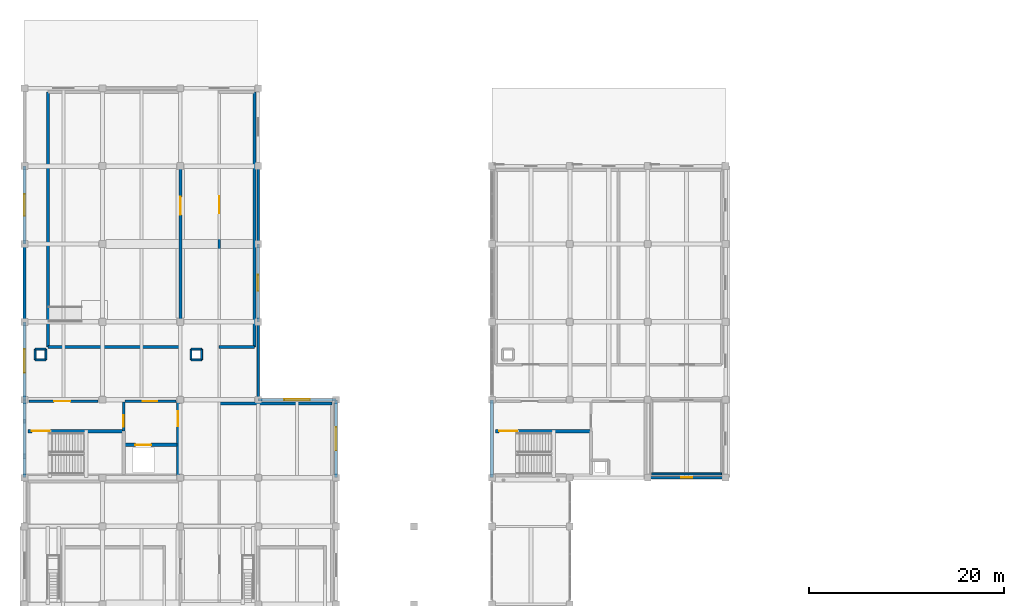
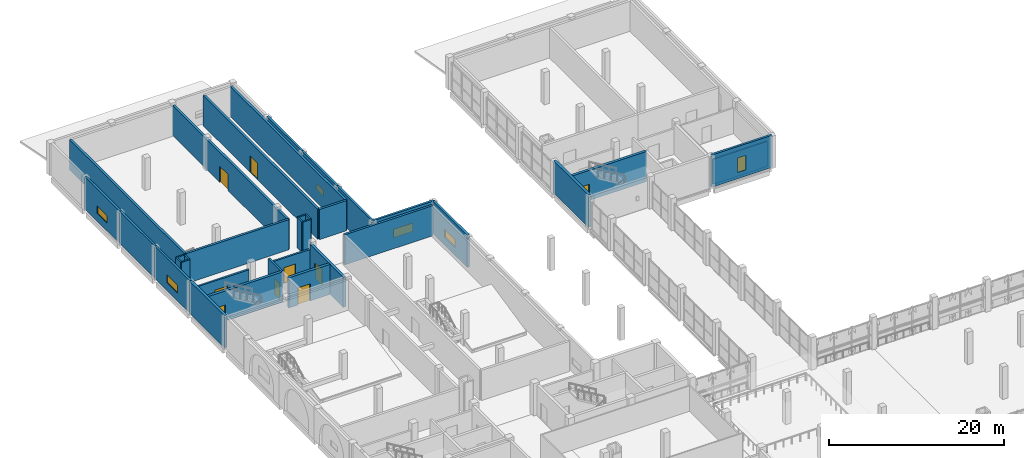
# One storey, part 30 of 45: 34 walls, 9 doors, 6 windows, 15 openings.
"""IFC4 building model written with IfcOpenShell, lengths in metres."""

from ifc_helpers import new_model, si_unit, direction, frame, frame_2d, origin, place, context, subcontext, project, spatial, rectangle, extrude, material, layer, layer_set, type_object, element, fill, save


model = new_model("IFC4")

# Units and contexts
model_context = context("Model", 3, precision=1e-05, world=origin(), true_north=direction((0.0, 1.0)))
body_context = subcontext(model_context, "Body", "Model", "MODEL_VIEW")
ifc_project = project(units=[si_unit("LENGTHUNIT", "METRE"), si_unit("AREAUNIT", "SQUARE_METRE"), si_unit("VOLUMEUNIT", "CUBIC_METRE"), si_unit("PLANEANGLEUNIT", "RADIAN"), si_unit("MASSUNIT", "GRAM", prefix="KILO")], contexts=[model_context])

# Site, building, storey
site_placement = place(None, origin())
site = spatial("IfcSite", under=ifc_project, at=site_placement, CompositionType="ELEMENT")
building_placement = place(site_placement, origin())
building = spatial("IfcBuilding", under=site, at=building_placement, Name="Qorikala Patio Media Centre", CompositionType="ELEMENT")
storey_placement = place(building_placement, frame((0.0, 0.0, 9.89990234375)))
storey = spatial("IfcBuildingStorey", under=building, at=storey_placement, Name="L02", CompositionType="ELEMENT", Elevation=9.89990234375)

# Walls
ifc_material_1 = material(Name="Concrete C35/45", Category="concrete")
ifc_layer_1 = layer(ifc_material_1, 0.300048828125)
ifc_layer_set_1 = layer_set([ifc_layer_1], Name="Concrete C35/45")
wall_type_1 = type_object("IfcWallType", Name="WL-AC-300", PredefinedType="SHEAR", material=ifc_layer_set_1)
wall_1_placement = place(storey_placement, frame((23.0, 71.60009765625, 0.0), z_axis=(0.0, 0.0, 1.0), x_axis=(1.0, 0.0, 0.0)))
element("IfcWall", 1, at=wall_1_placement, inside=storey, type_object=wall_type_1, Name="L02 Interior Wall WINT-L02-SCR4-N", PredefinedType="SHEAR", context=body_context, shape_type="SweptSolid", body=[
    extrude(rectangle(XDim=11.60009765625, YDim=0.300048828125, at=frame_2d((5.800048828125, 0.0))), origin(), (0.0, 0.0, 1.0), 4.2001953125),
])
wall_2_placement = place(storey_placement, frame((5.39990234375, 77.39990234375, 0.0), z_axis=(0.0, 0.0, 1.0), x_axis=(1.0, 0.0, 0.0)))
element("IfcWall", 2, at=wall_2_placement, inside=storey, type_object=wall_type_1, Name="L02 Interior Wall WINT-L02-BST2-S", PredefinedType="SHEAR", context=body_context, shape_type="SweptSolid", body=[
    extrude(rectangle(XDim=13.60009765625, YDim=0.300048828125, at=frame_2d((6.800048828125, 0.0))), origin(), (0.0, 0.0, 1.0), 4.2001953125),
])

# Wall, opening, door
wall_3_placement = place(storey_placement, frame((19.0, 77.39990234375, 0.0), z_axis=(0.0, 0.0, 1.0), x_axis=(0.0, 1.0, 0.0)))
wall_3 = element("IfcWall", 3, at=wall_3_placement, inside=storey, type_object=wall_type_1, Name="L02 Interior Wall WINT-L02-BST2-E", PredefinedType="SHEAR", context=body_context, shape_type="SweptSolid", body=[
    extrude(rectangle(XDim=26.2001953125, YDim=0.300048828125, at=frame_2d((13.10009765625, 0.0))), origin(), (0.0, 0.0, 1.0), 4.2001953125),
])
opening_1_placement = place(wall_3_placement, frame((13.577880859375, 0.0, 0.0)))
opening_1 = element("IfcOpeningElement", 4, at=opening_1_placement, cuts=wall_3, Name="Opening D279", PredefinedType="OPENING", context=body_context, shape_type="SweptSolid", body=[
    extrude(rectangle(XDim=1.85009765625, YDim=2.25, at=frame_2d((0.925048828125, 1.125))), frame((0.0, 0.159912109375, 0.0), z_axis=(0.0, -1.0, 0.0), x_axis=(1.0, 0.0, 0.0)), (0.0, 0.0, 1.0), 0.320068359375),
])
ifc_material_2 = material(Name="Powder-Coated Acoustic Fire Steel", Category="steel")
door_type_1 = type_object("IfcDoorType", Name="DR-FD60-185X225", OperationType="DOUBLE_DOOR_SINGLE_SWING", PredefinedType="DOOR", material=ifc_material_2)
door_1_placement = place(opening_1_placement, origin())
door_1 = element("IfcDoor", 5, at=door_1_placement, inside=storey, type_object=door_type_1, Name="Live Broadcast Studio 2 Door 068", OperationType="DOUBLE_DOOR_SINGLE_SWING", OverallHeight=2.25, OverallWidth=1.85009765625, PredefinedType="DOOR", context=body_context, shape_type="SweptSolid", body=[
    extrude(rectangle(XDim=1.85009765625, YDim=2.25, at=frame_2d((0.925048828125, 1.125))), frame((0.0, 0.02490234375, 0.0), z_axis=(0.0, -1.0, 0.0), x_axis=(1.0, 0.0, 0.0)), (0.0, 0.0, 1.0), 0.050048828125),
])
fill(opening_1, door_1)

# Walls
wall_4_placement = place(storey_placement, frame((5.39990234375, 77.39990234375, 0.0), z_axis=(0.0, 0.0, 1.0), x_axis=(0.0, 1.0, 0.0)))
element("IfcWall", 6, at=wall_4_placement, inside=storey, type_object=wall_type_1, Name="L02 Interior Wall WINT-L02-BST2-W", PredefinedType="SHEAR", context=body_context, shape_type="SweptSolid", body=[
    extrude(rectangle(XDim=26.2001953125, YDim=0.300048828125, at=frame_2d((13.10009765625, 0.0))), origin(), (0.0, 0.0, 1.0), 4.2001953125),
])
wall_5_placement = place(storey_placement, frame((23.0, 77.39990234375, 0.0), z_axis=(0.0, 0.0, 1.0), x_axis=(1.0, 0.0, 0.0)))
element("IfcWall", 7, at=wall_5_placement, inside=storey, type_object=wall_type_1, Name="L02 Interior Wall WINT-L02-MCR2-S", PredefinedType="SHEAR", context=body_context, shape_type="SweptSolid", body=[
    extrude(rectangle(XDim=3.60009765625, YDim=0.300048828125, at=frame_2d((1.800048828125, 0.0))), origin(), (0.0, 0.0, 1.0), 4.2001953125),
])
wall_6_placement = place(storey_placement, frame((26.60009765625, 77.39990234375, 0.0), z_axis=(0.0, 0.0, 1.0), x_axis=(0.0, 1.0, 0.0)))
element("IfcWall", 8, at=wall_6_placement, inside=storey, type_object=wall_type_1, Name="L02 Interior Wall WINT-L02-MCR2-E", PredefinedType="SHEAR", context=body_context, shape_type="SweptSolid", body=[
    extrude(rectangle(XDim=26.2001953125, YDim=0.300048828125, at=frame_2d((13.10009765625, 0.0))), origin(), (0.0, 0.0, 1.0), 4.2001953125),
])

# Wall, opening, door
wall_7_placement = place(storey_placement, frame((23.0, 77.39990234375, 0.0), z_axis=(0.0, 0.0, 1.0), x_axis=(0.0, 1.0, 0.0)))
wall_7 = element("IfcWall", 9, at=wall_7_placement, inside=storey, type_object=wall_type_1, Name="L02 Interior Wall WINT-L02-MCR2-W", PredefinedType="SHEAR", context=body_context, shape_type="SweptSolid", body=[
    extrude(rectangle(XDim=26.2001953125, YDim=0.300048828125, at=frame_2d((13.10009765625, 0.0))), origin(), (0.0, 0.0, 1.0), 4.2001953125),
])
opening_2_placement = place(wall_7_placement, frame((13.735107421875, 0.0, 0.0)))
opening_2 = element("IfcOpeningElement", 10, at=opening_2_placement, cuts=wall_7, Name="Opening D280", PredefinedType="OPENING", context=body_context, shape_type="SweptSolid", body=[
    extrude(rectangle(XDim=1.75, YDim=2.280029296875, at=frame_2d((0.875, 1.14013671875))), frame((0.0, 0.159912109375, 0.0), z_axis=(0.0, -1.0, 0.0), x_axis=(1.0, 0.0, 0.0)), (0.0, 0.0, 1.0), 0.320068359375),
])
door_type_2 = type_object("IfcDoorType", Name="DR-FD60-175X228", OperationType="DOUBLE_DOOR_SINGLE_SWING", PredefinedType="DOOR", material=ifc_material_2)
door_2_placement = place(opening_2_placement, origin())
door_2 = element("IfcDoor", 11, at=door_2_placement, inside=storey, type_object=door_type_2, Name="Broadcast Studio 2 Production Control Room Door 069", OperationType="DOUBLE_DOOR_SINGLE_SWING", OverallHeight=2.280029296875, OverallWidth=1.75, PredefinedType="DOOR", context=body_context, shape_type="SweptSolid", body=[
    extrude(rectangle(XDim=1.75, YDim=2.280029296875, at=frame_2d((0.875, 1.14013671875))), frame((0.0, 0.02490234375, 0.0), z_axis=(0.0, -1.0, 0.0), x_axis=(1.0, 0.0, 0.0)), (0.0, 0.0, 1.0), 0.050048828125),
])
fill(opening_2, door_2)

# Walls
ifc_layer_2 = layer(ifc_material_1, 0.35009765625)
ifc_layer_set_2 = layer_set([ifc_layer_2], Name="Concrete C35/45")
wall_type_2 = type_object("IfcWallType", Name="WL-CORE-350", PredefinedType="SHEAR", material=ifc_layer_set_2)
for number, where, z_axis, x_axis, name in (
    (12, (3.0, 64.0, 0.0), (0.0, 0.0, 1.0), (0.0, 1.0, 0.0), "L02 Core C3 Exterior Shear Wall"),
    (13, (51.0, 64.0, 0.0), (0.0, 0.0, 1.0), (0.0, 1.0, 0.0), "L02 Core C6 Exterior Shear Wall"),
):
    element("IfcWall", number, at=place(storey_placement, frame(where, z_axis=z_axis, x_axis=x_axis)), inside=storey, type_object=wall_type_2, Name=name, PredefinedType="SHEAR", context=body_context, shape_type="SweptSolid", body=[
        extrude(rectangle(XDim=8.0, YDim=0.35009765625, at=frame_2d((4.0, 0.0))), origin(), (0.0, 0.0, 1.0), 4.5),
    ])

# Wall, opening, door
wall_8_placement = place(storey_placement, frame((18.77490234375, 64.199951171875, 0.0), z_axis=(0.0, 0.0, 1.0), x_axis=(0.0, 1.0, 0.0)))
wall_8 = element("IfcWall", 14, at=wall_8_placement, inside=storey, type_object=wall_type_2, Name="L02 Interior Wall CW-L02-C3-EE", PredefinedType="SHEAR", context=body_context, shape_type="SweptSolid", body=[
    extrude(rectangle(XDim=7.60009765625, YDim=0.35009765625, at=frame_2d((3.800048828125, 0.0))), origin(), (0.0, 0.0, 1.0), 4.2001953125),
])
opening_3_placement = place(wall_8_placement, frame((5.10009765625, 0.0, 0.0)))
opening_3 = element("IfcOpeningElement", 15, at=opening_3_placement, cuts=wall_8, Name="Opening D110", PredefinedType="OPENING", context=body_context, shape_type="SweptSolid", body=[
    extrude(rectangle(XDim=1.5, YDim=2.199951171875, at=frame_2d((0.75, 1.10009765625))), frame((0.0, 0.18505859375, 0.0), z_axis=(0.0, -1.0, 0.0), x_axis=(1.0, 0.0, 0.0)), (0.0, 0.0, 1.0), 0.3701171875),
])
door_type_3 = type_object("IfcDoorType", Name="DR-FD60-150X220", OperationType="DOUBLE_DOOR_SINGLE_SWING", PredefinedType="DOOR", material=ifc_material_2)
door_3_placement = place(opening_3_placement, origin())
door_3 = element("IfcDoor", 16, at=door_3_placement, inside=storey, type_object=door_type_3, Name="L02 Core C3 East Corridor Fire Door", OperationType="DOUBLE_DOOR_SINGLE_SWING", OverallHeight=2.199951171875, OverallWidth=1.5, PredefinedType="DOOR", context=body_context, shape_type="SweptSolid", body=[
    extrude(rectangle(XDim=1.5, YDim=2.199951171875, at=frame_2d((0.75, 1.10009765625))), frame((0.0, 0.02490234375, 0.0), z_axis=(0.0, -1.0, 0.0), x_axis=(1.0, 0.0, 0.0)), (0.0, 0.0, 1.0), 0.050048828125),
])
fill(opening_3, door_3)

wall_9_placement = place(storey_placement, frame((3.35009765625, 68.77490234375, 0.0), z_axis=(0.0, 0.0, 1.0), x_axis=(1.0, 0.0, 0.0)))
wall_9 = element("IfcWall", 17, at=wall_9_placement, inside=storey, type_object=wall_type_2, Name="L02 Interior Wall CW-L02-C3-SN", PredefinedType="SHEAR", context=body_context, shape_type="SweptSolid", body=[
    extrude(rectangle(XDim=9.824951171875, YDim=0.35009765625, at=frame_2d((4.91259765625, 0.0))), origin(), (0.0, 0.0, 1.0), 4.2001953125),
])
opening_4_placement = place(wall_9_placement, frame((0.39990234375, 0.0, 0.0)))
opening_4 = element("IfcOpeningElement", 18, at=opening_4_placement, cuts=wall_9, Name="Opening D106", PredefinedType="OPENING", context=body_context, shape_type="SweptSolid", body=[
    extrude(rectangle(XDim=1.85009765625, YDim=2.25, at=frame_2d((0.925048828125, 1.125))), frame((0.0, 0.18505859375, 0.0), z_axis=(0.0, -1.0, 0.0), x_axis=(1.0, 0.0, 0.0)), (0.0, 0.0, 1.0), 0.3701171875),
])
door_4_placement = place(opening_4_placement, origin())
door_4 = element("IfcDoor", 19, at=door_4_placement, inside=storey, type_object=door_type_1, Name="L02 Stair ST-3 Fire Door", OperationType="DOUBLE_DOOR_SINGLE_SWING", OverallHeight=2.25, OverallWidth=1.85009765625, PredefinedType="DOOR", context=body_context, shape_type="SweptSolid", body=[
    extrude(rectangle(XDim=1.85009765625, YDim=2.25, at=frame_2d((0.925048828125, 1.125))), frame((0.0, 0.02490234375, 0.0), z_axis=(0.0, -1.0, 0.0), x_axis=(1.0, 0.0, 0.0)), (0.0, 0.0, 1.0), 0.050048828125),
])
fill(opening_4, door_4)

wall_10_placement = place(storey_placement, frame((13.175048828125, 67.375, 0.0), z_axis=(0.0, 0.0, 1.0), x_axis=(1.0, 0.0, 0.0)))
wall_10 = element("IfcWall", 20, at=wall_10_placement, inside=storey, type_object=wall_type_2, Name="L02 Interior Wall CW-L02-C3-LFN", PredefinedType="SHEAR", context=body_context, shape_type="SweptSolid", body=[
    extrude(rectangle(XDim=5.474853515625, YDim=0.35009765625, at=frame_2d((2.7373046875, 0.0))), origin(), (0.0, 0.0, 1.0), 4.2001953125),
])
opening_5_placement = place(wall_10_placement, frame((1.22509765625, 0.0, 0.0)))
opening_5 = element("IfcOpeningElement", 21, at=opening_5_placement, cuts=wall_10, Name="Opening LD27", PredefinedType="OPENING", context=body_context, shape_type="SweptSolid", body=[
    extrude(rectangle(XDim=1.60009765625, YDim=2.39990234375, at=frame_2d((0.800048828125, 1.199951171875))), frame((0.0, 0.18505859375, 0.0), z_axis=(0.0, -1.0, 0.0), x_axis=(1.0, 0.0, 0.0)), (0.0, 0.0, 1.0), 0.3701171875),
])
ifc_material_3 = material(Name="Heavy Stainless Steel Freight", Category="steel")
door_type_4 = type_object("IfcDoorType", Name="DR-LD-160X240", OperationType="DOUBLE_DOOR_SLIDING", PredefinedType="DOOR", material=ifc_material_3)
door_5_placement = place(opening_5_placement, origin())
door_5 = element("IfcDoor", 22, at=door_5_placement, inside=storey, type_object=door_type_4, Name="L02 Lift LS-01 Sliding Landing Door", OperationType="DOUBLE_DOOR_SLIDING", OverallHeight=2.39990234375, OverallWidth=1.60009765625, PredefinedType="DOOR", context=body_context, shape_type="SweptSolid", body=[
    extrude(rectangle(XDim=1.60009765625, YDim=2.39990234375, at=frame_2d((0.800048828125, 1.199951171875))), frame((0.0, 0.02490234375, 0.0), z_axis=(0.0, -1.0, 0.0), x_axis=(1.0, 0.0, 0.0)), (0.0, 0.0, 1.0), 0.050048828125),
])
fill(opening_5, door_5)

wall_11_placement = place(storey_placement, frame((51.35009765625, 68.77490234375, 0.0), z_axis=(0.0, 0.0, 1.0), x_axis=(1.0, 0.0, 0.0)))
wall_11 = element("IfcWall", 23, at=wall_11_placement, inside=storey, type_object=wall_type_2, Name="L02 Interior Wall CW-L02-C6-SN", PredefinedType="SHEAR", context=body_context, shape_type="SweptSolid", body=[
    extrude(rectangle(XDim=9.824951171875, YDim=0.35009765625, at=frame_2d((4.91259765625, 0.0))), origin(), (0.0, 0.0, 1.0), 4.2001953125),
])
opening_6_placement = place(wall_11_placement, frame((0.39990234375, 0.0, 0.0)))
opening_6 = element("IfcOpeningElement", 24, at=opening_6_placement, cuts=wall_11, Name="Opening D188", PredefinedType="OPENING", context=body_context, shape_type="SweptSolid", body=[
    extrude(rectangle(XDim=1.85009765625, YDim=2.25, at=frame_2d((0.925048828125, 1.125))), frame((0.0, 0.18505859375, 0.0), z_axis=(0.0, -1.0, 0.0), x_axis=(1.0, 0.0, 0.0)), (0.0, 0.0, 1.0), 0.3701171875),
])
door_6_placement = place(opening_6_placement, origin())
door_6 = element("IfcDoor", 25, at=door_6_placement, inside=storey, type_object=door_type_1, Name="L02 Stair ST-6 Fire Door", OperationType="DOUBLE_DOOR_SINGLE_SWING", OverallHeight=2.25, OverallWidth=1.85009765625, PredefinedType="DOOR", context=body_context, shape_type="SweptSolid", body=[
    extrude(rectangle(XDim=1.85009765625, YDim=2.25, at=frame_2d((0.925048828125, 1.125))), frame((0.0, 0.02490234375, 0.0), z_axis=(0.0, -1.0, 0.0), x_axis=(1.0, 0.0, 0.0)), (0.0, 0.0, 1.0), 0.050048828125),
])
fill(opening_6, door_6)

# Wall, opening, window
ifc_material_4 = material(Name="Ivory Lime Stucco and Concrete C35/45", Category="concrete")
ifc_layer_3 = layer(ifc_material_4, 0.320068359375)
ifc_layer_set_3 = layer_set([ifc_layer_3], Name="Ivory Lime Stucco and Concrete C35/45")
wall_type_3 = type_object("IfcWallType", Name="WL-EXT-320", PredefinedType="SOLIDWALL", material=ifc_layer_set_3)
wall_12_placement = place(storey_placement, frame((35.0, 72.0, 0.0), z_axis=(0.0, 0.0, 1.0), x_axis=(0.0, -1.0, 0.0)))
wall_12 = element("IfcWall", 26, at=wall_12_placement, inside=storey, type_object=wall_type_3, Name="L02 Exterior Wall WL-L02-EXT-0050", PredefinedType="SOLIDWALL", context=body_context, shape_type="SweptSolid", body=[
    extrude(rectangle(XDim=8.0, YDim=0.320068359375, at=frame_2d((4.0, 0.0))), origin(), (0.0, 0.0, 1.0), 4.5),
])
opening_7_placement = place(wall_12_placement, frame((2.800048828125, 0.0, 1.10009765625)))
opening_7 = element("IfcOpeningElement", 27, at=opening_7_placement, cuts=wall_12, Name="Opening WL-240", PredefinedType="OPENING", context=body_context, shape_type="SweptSolid", body=[
    extrude(rectangle(XDim=2.39990234375, YDim=1.10009765625, at=frame_2d((1.199951171875, 0.550048828125))), frame((0.0, 0.169921875, 0.0), z_axis=(0.0, -1.0, 0.0), x_axis=(1.0, 0.0, 0.0)), (0.0, 0.0, 1.0), 0.340087890625),
])
ifc_material_5 = material(Name="Acoustic Laminated Low-E Glass", Category="glass")
window_type_1 = type_object("IfcWindowType", Name="WN-CL-240X110", PartitioningType="SINGLE_PANEL", PredefinedType="WINDOW", material=ifc_material_5)
window_1_placement = place(opening_7_placement, origin())
window_1 = element("IfcWindow", 28, at=window_1_placement, inside=storey, type_object=window_type_1, Name="L02 High Acoustic Clerestory Window 0170", OverallHeight=1.10009765625, OverallWidth=2.39990234375, PartitioningType="SINGLE_PANEL", PredefinedType="WINDOW", context=body_context, shape_type="SweptSolid", body=[
    extrude(rectangle(XDim=2.39990234375, YDim=1.10009765625, at=frame_2d((1.199951171875, 0.550048828125))), frame((0.0, 0.030029296875, 0.0), z_axis=(0.0, -1.0, 0.0), x_axis=(1.0, 0.0, 0.0)), (0.0, 0.0, 1.0), 0.06005859375),
])
fill(opening_7, window_1)

# Wall, opening, door
ifc_layer_4 = layer(ifc_material_1, 0.25)
ifc_layer_set_4 = layer_set([ifc_layer_4], Name="Concrete C35/45")
wall_type_4 = type_object("IfcWallType", Name="WL-FFL-250", PredefinedType="PARTITIONING", material=ifc_layer_set_4)
wall_13_placement = place(storey_placement, frame((13.175048828125, 68.77490234375, 0.0), z_axis=(0.0, 0.0, 1.0), x_axis=(0.0, 1.0, 0.0)))
wall_13 = element("IfcWall", 29, at=wall_13_placement, inside=storey, type_object=wall_type_4, Name="L02 Interior Wall CW-L02-C3-LBD", PredefinedType="PARTITIONING", context=body_context, shape_type="SweptSolid", body=[
    extrude(rectangle(XDim=2.97509765625, YDim=0.25, at=frame_2d((1.487548828125, 0.0))), origin(), (0.0, 0.0, 1.0), 4.2001953125),
])
opening_8_placement = place(wall_13_placement, frame((0.449951171875, 0.0, 0.0)))
opening_8 = element("IfcOpeningElement", 30, at=opening_8_placement, cuts=wall_13, Name="Opening D107", PredefinedType="OPENING", context=body_context, shape_type="SweptSolid", body=[
    extrude(rectangle(XDim=1.199951171875, YDim=2.199951171875, at=frame_2d((0.60009765625, 1.10009765625))), frame((0.0, 0.135009765625, 0.0), z_axis=(0.0, -1.0, 0.0), x_axis=(1.0, 0.0, 0.0)), (0.0, 0.0, 1.0), 0.27001953125),
])
ifc_material_6 = material(Name="Acoustic Fire Timber and Steel", Category="steel")
door_type_5 = type_object("IfcDoorType", Name="DR-FD60-120X220", OperationType="NOTDEFINED", PredefinedType="DOOR", material=ifc_material_6)
door_7_placement = place(opening_8_placement, origin())
door_7 = element("IfcDoor", 31, at=door_7_placement, inside=storey, type_object=door_type_5, Name="L02 Core C3 Firefighting Lobby Cross Door", OperationType="SINGLE_SWING_RIGHT", OverallHeight=2.199951171875, OverallWidth=1.199951171875, PredefinedType="DOOR", context=body_context, shape_type="SweptSolid", body=[
    extrude(rectangle(XDim=1.199951171875, YDim=2.199951171875, at=frame_2d((0.60009765625, 1.10009765625))), frame((0.0, 0.02490234375, 0.0), z_axis=(0.0, -1.0, 0.0), x_axis=(1.0, 0.0, 0.0)), (0.0, 0.0, 1.0), 0.050048828125),
])
fill(opening_8, door_7)

wall_14_placement = place(storey_placement, frame((3.449951171875, 71.85009765625, 0.0), z_axis=(0.0, 0.0, 1.0), x_axis=(1.0, 0.0, 0.0)))
wall_14 = element("IfcWall", 32, at=wall_14_placement, inside=storey, type_object=wall_type_4, Name="L02 Interior Wall CW-L02-C3-CN1", PredefinedType="PARTITIONING", context=body_context, shape_type="SweptSolid", body=[
    extrude(rectangle(XDim=7.10009765625, YDim=0.25, at=frame_2d((3.550048828125, 0.0))), origin(), (0.0, 0.0, 1.0), 3.53515625),
])
opening_9_placement = place(wall_14_placement, frame((2.60009765625, 0.0, 0.0)))
opening_9 = element("IfcOpeningElement", 33, at=opening_9_placement, cuts=wall_14, Name="Opening D108", PredefinedType="OPENING", context=body_context, shape_type="SweptSolid", body=[
    extrude(rectangle(XDim=1.64990234375, YDim=2.25, at=frame_2d((0.824951171875, 1.125))), frame((0.0, 0.135009765625, 0.0), z_axis=(0.0, -1.0, 0.0), x_axis=(1.0, 0.0, 0.0)), (0.0, 0.0, 1.0), 0.27001953125),
])
door_type_6 = type_object("IfcDoorType", Name="DR-FD60-165X225", OperationType="DOUBLE_DOOR_SINGLE_SWING", PredefinedType="DOOR", material=ifc_material_2)
door_8_placement = place(opening_9_placement, frame((1.64990234375, 0.0, 0.0), z_axis=(0.0, 0.0, 1.0), x_axis=(-1.0, 0.0, 0.0)))
door_8 = element("IfcDoor", 34, at=door_8_placement, inside=storey, type_object=door_type_6, Name="L02 Core C3 Vestibule Door", OperationType="DOUBLE_DOOR_SINGLE_SWING", OverallHeight=2.25, OverallWidth=1.64990234375, PredefinedType="DOOR", context=body_context, shape_type="SweptSolid", body=[
    extrude(rectangle(XDim=1.64990234375, YDim=2.25, at=frame_2d((0.824951171875, 1.125))), frame((0.0, 0.02490234375, 0.0), z_axis=(0.0, -1.0, 0.0), x_axis=(1.0, 0.0, 0.0)), (0.0, 0.0, 1.0), 0.050048828125),
])
fill(opening_9, door_8)

wall_15_placement = place(storey_placement, frame((13.300048828125, 71.85009765625, 0.0), z_axis=(0.0, 0.0, 1.0), x_axis=(1.0, 0.0, 0.0)))
wall_15 = element("IfcWall", 35, at=wall_15_placement, inside=storey, type_object=wall_type_4, Name="L02 Interior Wall CW-L02-C3-CN2", PredefinedType="PARTITIONING", context=body_context, shape_type="SweptSolid", body=[
    extrude(rectangle(XDim=5.25, YDim=0.25, at=frame_2d((2.625, 0.0))), origin(), (0.0, 0.0, 1.0), 3.53515625),
])
opening_10_placement = place(wall_15_placement, frame((1.85009765625, 0.0, 0.0)))
opening_10 = element("IfcOpeningElement", 36, at=opening_10_placement, cuts=wall_15, Name="Opening D109", PredefinedType="OPENING", context=body_context, shape_type="SweptSolid", body=[
    extrude(rectangle(XDim=1.5, YDim=2.199951171875, at=frame_2d((0.75, 1.10009765625))), frame((0.0, 0.135009765625, 0.0), z_axis=(0.0, -1.0, 0.0), x_axis=(1.0, 0.0, 0.0)), (0.0, 0.0, 1.0), 0.27001953125),
])
door_9_placement = place(opening_10_placement, origin())
door_9 = element("IfcDoor", 37, at=door_9_placement, inside=storey, type_object=door_type_3, Name="L02 Core C3 Firefighting Lobby Door", OperationType="DOUBLE_DOOR_SINGLE_SWING", OverallHeight=2.199951171875, OverallWidth=1.5, PredefinedType="DOOR", context=body_context, shape_type="SweptSolid", body=[
    extrude(rectangle(XDim=1.5, YDim=2.199951171875, at=frame_2d((0.75, 1.10009765625))), frame((0.0, 0.02490234375, 0.0), z_axis=(0.0, -1.0, 0.0), x_axis=(1.0, 0.0, 0.0)), (0.0, 0.0, 1.0), 0.050048828125),
])
fill(opening_10, door_9)

# Wall, opening, window
ifc_material_7 = material(Name="Warm Ochre Lime Stucco and Concrete C35/45", Category="concrete")
ifc_layer_5 = layer(ifc_material_7, 0.280029296875)
ifc_layer_set_5 = layer_set([ifc_layer_5], Name="Warm Ochre Lime Stucco and Concrete C35/45")
wall_type_5 = type_object("IfcWallType", Name="WL-OCHRE-280", PredefinedType="SOLIDWALL", material=ifc_layer_set_5)
wall_16_placement = place(storey_placement, frame((3.0, 72.0, 0.0), z_axis=(0.0, 0.0, 1.0), x_axis=(0.0, 1.0, 0.0)))
wall_16 = element("IfcWall", 38, at=wall_16_placement, inside=storey, type_object=wall_type_5, Name="L02 Exterior Wall WL-L02-EXT-0038", PredefinedType="SOLIDWALL", context=body_context, shape_type="SweptSolid", body=[
    extrude(rectangle(XDim=8.0, YDim=0.280029296875, at=frame_2d((4.0, 0.0))), origin(), (0.0, 0.0, 1.0), 4.5),
])
opening_11_placement = place(wall_16_placement, frame((2.800048828125, 0.0, 1.10009765625)))
opening_11 = element("IfcOpeningElement", 39, at=opening_11_placement, cuts=wall_16, Name="Opening WL-240", PredefinedType="OPENING", context=body_context, shape_type="SweptSolid", body=[
    extrude(rectangle(XDim=2.39990234375, YDim=1.10009765625, at=frame_2d((1.199951171875, 0.550048828125))), frame((0.0, 0.14990234375, 0.0), z_axis=(0.0, -1.0, 0.0), x_axis=(1.0, 0.0, 0.0)), (0.0, 0.0, 1.0), 0.300048828125),
])
window_2_placement = place(opening_11_placement, origin())
window_2 = element("IfcWindow", 40, at=window_2_placement, inside=storey, type_object=window_type_1, Name="L02 High Acoustic Clerestory Window 0163", OverallHeight=1.10009765625, OverallWidth=2.39990234375, PartitioningType="SINGLE_PANEL", PredefinedType="WINDOW", context=body_context, shape_type="SweptSolid", body=[
    extrude(rectangle(XDim=2.39990234375, YDim=1.10009765625, at=frame_2d((1.199951171875, 0.550048828125))), frame((0.0, 0.030029296875, 0.0), z_axis=(0.0, -1.0, 0.0), x_axis=(1.0, 0.0, 0.0)), (0.0, 0.0, 1.0), 0.06005859375),
])
fill(opening_11, window_2)

# Wall
wall_17_placement = place(storey_placement, frame((3.0, 80.0, 0.0), z_axis=(0.0, 0.0, 1.0), x_axis=(0.0, 1.0, 0.0)))
element("IfcWall", 41, at=wall_17_placement, inside=storey, type_object=wall_type_5, Name="L02 Exterior Wall WL-L02-EXT-0039", PredefinedType="SOLIDWALL", context=body_context, shape_type="SweptSolid", body=[
    extrude(rectangle(XDim=8.0, YDim=0.280029296875, at=frame_2d((4.0, 0.0))), origin(), (0.0, 0.0, 1.0), 4.5),
])

# Wall, opening, window
wall_18_placement = place(storey_placement, frame((3.0, 88.0, 0.0), z_axis=(0.0, 0.0, 1.0), x_axis=(0.0, 1.0, 0.0)))
wall_18 = element("IfcWall", 42, at=wall_18_placement, inside=storey, type_object=wall_type_5, Name="L02 Exterior Wall WL-L02-EXT-0040", PredefinedType="SOLIDWALL", context=body_context, shape_type="SweptSolid", body=[
    extrude(rectangle(XDim=8.0, YDim=0.280029296875, at=frame_2d((4.0, 0.0))), origin(), (0.0, 0.0, 1.0), 4.5),
])
opening_12_placement = place(wall_18_placement, frame((2.875, 0.0, 1.10009765625)))
opening_12 = element("IfcOpeningElement", 43, at=opening_12_placement, cuts=wall_18, Name="Opening WL-225", PredefinedType="OPENING", context=body_context, shape_type="SweptSolid", body=[
    extrude(rectangle(XDim=2.25, YDim=1.02001953125, at=frame_2d((1.125, 0.510009765625))), frame((0.0, 0.14990234375, 0.0), z_axis=(0.0, -1.0, 0.0), x_axis=(1.0, 0.0, 0.0)), (0.0, 0.0, 1.0), 0.300048828125),
])
window_type_2 = type_object("IfcWindowType", Name="WN-CL-225X102", PartitioningType="SINGLE_PANEL", PredefinedType="WINDOW", material=ifc_material_5)
window_3_placement = place(opening_12_placement, origin())
window_3 = element("IfcWindow", 44, at=window_3_placement, inside=storey, type_object=window_type_2, Name="L02 High Acoustic Clerestory Window 0164", OverallHeight=1.02001953125, OverallWidth=2.25, PartitioningType="SINGLE_PANEL", PredefinedType="WINDOW", context=body_context, shape_type="SweptSolid", body=[
    extrude(rectangle(XDim=2.25, YDim=1.02001953125, at=frame_2d((1.125, 0.510009765625))), frame((0.0, 0.030029296875, 0.0), z_axis=(0.0, -1.0, 0.0), x_axis=(1.0, 0.0, 0.0)), (0.0, 0.0, 1.0), 0.06005859375),
])
fill(opening_12, window_3)

# Wall
wall_19_placement = place(storey_placement, frame((27.0, 96.0, 0.0), z_axis=(0.0, 0.0, 1.0), x_axis=(0.0, -1.0, 0.0)))
element("IfcWall", 45, at=wall_19_placement, inside=storey, type_object=wall_type_5, Name="L02 Exterior Wall WL-L02-EXT-0046", PredefinedType="SOLIDWALL", context=body_context, shape_type="SweptSolid", body=[
    extrude(rectangle(XDim=8.0, YDim=0.280029296875, at=frame_2d((4.0, 0.0))), origin(), (0.0, 0.0, 1.0), 4.5),
])

# Wall, opening, window
wall_20_placement = place(storey_placement, frame((27.0, 88.0, 0.0), z_axis=(0.0, 0.0, 1.0), x_axis=(0.0, -1.0, 0.0)))
wall_20 = element("IfcWall", 46, at=wall_20_placement, inside=storey, type_object=wall_type_5, Name="L02 Exterior Wall WL-L02-EXT-0047", PredefinedType="SOLIDWALL", context=body_context, shape_type="SweptSolid", body=[
    extrude(rectangle(XDim=8.0, YDim=0.280029296875, at=frame_2d((4.0, 0.0))), origin(), (0.0, 0.0, 1.0), 4.5),
])
opening_13_placement = place(wall_20_placement, frame((3.175048828125, 0.0, 1.10009765625)))
opening_13 = element("IfcOpeningElement", 47, at=opening_13_placement, cuts=wall_20, Name="Opening WL-165", PredefinedType="OPENING", context=body_context, shape_type="SweptSolid", body=[
    extrude(rectangle(XDim=1.64990234375, YDim=0.800048828125, at=frame_2d((0.824951171875, 0.39990234375))), frame((0.0, 0.14990234375, 0.0), z_axis=(0.0, -1.0, 0.0), x_axis=(1.0, 0.0, 0.0)), (0.0, 0.0, 1.0), 0.300048828125),
])
window_type_3 = type_object("IfcWindowType", Name="WN-CL-165X080", PartitioningType="SINGLE_PANEL", PredefinedType="WINDOW", material=ifc_material_5)
window_4_placement = place(opening_13_placement, origin())
window_4 = element("IfcWindow", 48, at=window_4_placement, inside=storey, type_object=window_type_3, Name="L02 High Acoustic Clerestory Window 0168", OverallHeight=0.800048828125, OverallWidth=1.64990234375, PartitioningType="SINGLE_PANEL", PredefinedType="WINDOW", context=body_context, shape_type="SweptSolid", body=[
    extrude(rectangle(XDim=1.64990234375, YDim=0.800048828125, at=frame_2d((0.824951171875, 0.39990234375))), frame((0.0, 0.030029296875, 0.0), z_axis=(0.0, -1.0, 0.0), x_axis=(1.0, 0.0, 0.0)), (0.0, 0.0, 1.0), 0.06005859375),
])
fill(opening_13, window_4)

# Wall
wall_21_placement = place(storey_placement, frame((27.0, 80.0, 0.0), z_axis=(0.0, 0.0, 1.0), x_axis=(0.0, -1.0, 0.0)))
element("IfcWall", 49, at=wall_21_placement, inside=storey, type_object=wall_type_5, Name="L02 Exterior Wall WL-L02-EXT-0048", PredefinedType="SOLIDWALL", context=body_context, shape_type="SweptSolid", body=[
    extrude(rectangle(XDim=8.0, YDim=0.280029296875, at=frame_2d((4.0, 0.0))), origin(), (0.0, 0.0, 1.0), 4.5),
])

# Wall, opening, window
wall_22_placement = place(storey_placement, frame((27.0, 72.0, 0.0), z_axis=(0.0, 0.0, 1.0), x_axis=(1.0, 0.0, 0.0)))
wall_22 = element("IfcWall", 50, at=wall_22_placement, inside=storey, type_object=wall_type_5, Name="L02 Exterior Wall WL-L02-EXT-0049", PredefinedType="SOLIDWALL", context=body_context, shape_type="SweptSolid", body=[
    extrude(rectangle(XDim=8.0, YDim=0.280029296875, at=frame_2d((4.0, 0.0))), origin(), (0.0, 0.0, 1.0), 4.5),
])
opening_14_placement = place(wall_22_placement, frame((2.699951171875, 0.0, 1.10009765625)))
opening_14 = element("IfcOpeningElement", 51, at=opening_14_placement, cuts=wall_22, Name="Opening WL-260", PredefinedType="OPENING", context=body_context, shape_type="SweptSolid", body=[
    extrude(rectangle(XDim=2.60009765625, YDim=1.199951171875, at=frame_2d((1.300048828125, 0.60009765625))), frame((0.0, 0.14990234375, 0.0), z_axis=(0.0, -1.0, 0.0), x_axis=(1.0, 0.0, 0.0)), (0.0, 0.0, 1.0), 0.300048828125),
])
window_type_4 = type_object("IfcWindowType", Name="WN-CL-260X120", PartitioningType="SINGLE_PANEL", PredefinedType="WINDOW", material=ifc_material_5)
window_5_placement = place(opening_14_placement, origin())
window_5 = element("IfcWindow", 52, at=window_5_placement, inside=storey, type_object=window_type_4, Name="L02 High Acoustic Clerestory Window 0169", OverallHeight=1.199951171875, OverallWidth=2.60009765625, PartitioningType="SINGLE_PANEL", PredefinedType="WINDOW", context=body_context, shape_type="SweptSolid", body=[
    extrude(rectangle(XDim=2.60009765625, YDim=1.199951171875, at=frame_2d((1.300048828125, 0.60009765625))), frame((0.0, 0.030029296875, 0.0), z_axis=(0.0, -1.0, 0.0), x_axis=(1.0, 0.0, 0.0)), (0.0, 0.0, 1.0), 0.06005859375),
])
fill(opening_14, window_5)

wall_23_placement = place(storey_placement, frame((75.0, 64.0, 0.0), z_axis=(0.0, 0.0, 1.0), x_axis=(-1.0, 0.0, 0.0)))
wall_23 = element("IfcWall", 53, at=wall_23_placement, inside=storey, type_object=wall_type_5, Name="L02 Exterior Wall WL-L02-EXT-0065", PredefinedType="SOLIDWALL", context=body_context, shape_type="SweptSolid", body=[
    extrude(rectangle(XDim=8.0, YDim=0.280029296875, at=frame_2d((4.0, 0.0))), origin(), (0.0, 0.0, 1.0), 4.5),
])
opening_15_placement = place(wall_23_placement, frame((3.43994140625, 0.0, 0.85009765625)))
opening_15 = element("IfcOpeningElement", 54, at=opening_15_placement, cuts=wall_23, Name="Opening WC-112", PredefinedType="OPENING", context=body_context, shape_type="SweptSolid", body=[
    extrude(rectangle(XDim=1.1201171875, YDim=2.050048828125, at=frame_2d((0.56005859375, 1.02490234375))), frame((0.0, 0.14990234375, 0.0), z_axis=(0.0, -1.0, 0.0), x_axis=(1.0, 0.0, 0.0)), (0.0, 0.0, 1.0), 0.300048828125),
])
ifc_material_8 = material(Name="Bronze Anodised Aluminium and Low-E Glass", Category="aluminium")
window_type_5 = type_object("IfcWindowType", Name="WN-COL-112X205", PartitioningType="SINGLE_PANEL", PredefinedType="WINDOW", material=ifc_material_8)
window_6_placement = place(opening_15_placement, origin())
window_6 = element("IfcWindow", 55, at=window_6_placement, inside=storey, type_object=window_type_5, Name="L02 Colonial Tall Window 0180", OverallHeight=2.050048828125, OverallWidth=1.1201171875, PartitioningType="SINGLE_PANEL", PredefinedType="WINDOW", context=body_context, shape_type="SweptSolid", body=[
    extrude(rectangle(XDim=1.1201171875, YDim=2.050048828125, at=frame_2d((0.56005859375, 1.02490234375))), frame((0.0, 0.030029296875, 0.0), z_axis=(0.0, -1.0, 0.0), x_axis=(1.0, 0.0, 0.0)), (0.0, 0.0, 1.0), 0.06005859375),
])
fill(opening_15, window_6)

# Walls
ifc_material_9 = material(Name="Acoustic Masonry and Plaster Concrete C30/37", Category="masonry")
ifc_layer_6 = layer(ifc_material_9, 0.199951171875)
ifc_layer_set_6 = layer_set([ifc_layer_6], Name="Acoustic Masonry and Plaster Concrete C30/37")
wall_type_6 = type_object("IfcWallType", Name="WL-ST-200", PredefinedType="PARTITIONING", material=ifc_layer_set_6)
wall_24_placement = place(storey_placement, frame((67.39990234375, 64.39990234375, 0.0), z_axis=(0.0, 0.0, 1.0), x_axis=(1.0, 0.0, 0.0)))
element("IfcWall", 56, at=wall_24_placement, inside=storey, type_object=wall_type_6, Name="L02 Interior Wall WINT-L02-MIX2-S", PredefinedType="PARTITIONING", context=body_context, shape_type="SweptSolid", body=[
    extrude(rectangle(XDim=7.2001953125, YDim=0.199951171875, at=frame_2d((3.60009765625, 0.0))), origin(), (0.0, 0.0, 1.0), 3.505126953125),
])
for number, where, z_axis, x_axis, name in (
    (57, (4.10009765625, 76.10009765625, 0.0), (0.0, 0.0, 1.0), (1.0, 0.0, 0.0), "L02 Interior Wall RSW-5-L02-S"),
    (58, (4.10009765625, 77.199951171875, 0.0), (0.0, 0.0, 1.0), (1.0, 0.0, 0.0), "L02 Interior Wall RSW-5-L02-N"),
    (59, (4.10009765625, 76.10009765625, 0.0), (0.0, 0.0, 1.0), (0.0, 1.0, 0.0), "L02 Interior Wall RSW-5-L02-W"),
    (60, (5.199951171875, 76.10009765625, 0.0), (0.0, 0.0, 1.0), (0.0, 1.0, 0.0), "L02 Interior Wall RSW-5-L02-E"),
    (61, (20.10009765625, 76.10009765625, 0.0), (0.0, 0.0, 1.0), (1.0, 0.0, 0.0), "L02 Interior Wall RSW-6-L02-S"),
    (62, (20.10009765625, 77.199951171875, 0.0), (0.0, 0.0, 1.0), (1.0, 0.0, 0.0), "L02 Interior Wall RSW-6-L02-N"),
    (63, (20.10009765625, 76.10009765625, 0.0), (0.0, 0.0, 1.0), (0.0, 1.0, 0.0), "L02 Interior Wall RSW-6-L02-W"),
    (64, (21.199951171875, 76.10009765625, 0.0), (0.0, 0.0, 1.0), (0.0, 1.0, 0.0), "L02 Interior Wall RSW-6-L02-E"),
):
    element("IfcWall", number, at=place(storey_placement, frame(where, z_axis=z_axis, x_axis=x_axis)), inside=storey, type_object=wall_type_6, Name=name, PredefinedType="PARTITIONING", context=body_context, shape_type="SweptSolid", body=[
        extrude(rectangle(XDim=1.099853515625, YDim=0.199951171875, at=frame_2d((0.5498046875, 0.0))), origin(), (0.0, 0.0, 1.0), 4.2001953125),
    ])

save(model, "model.ifc")
